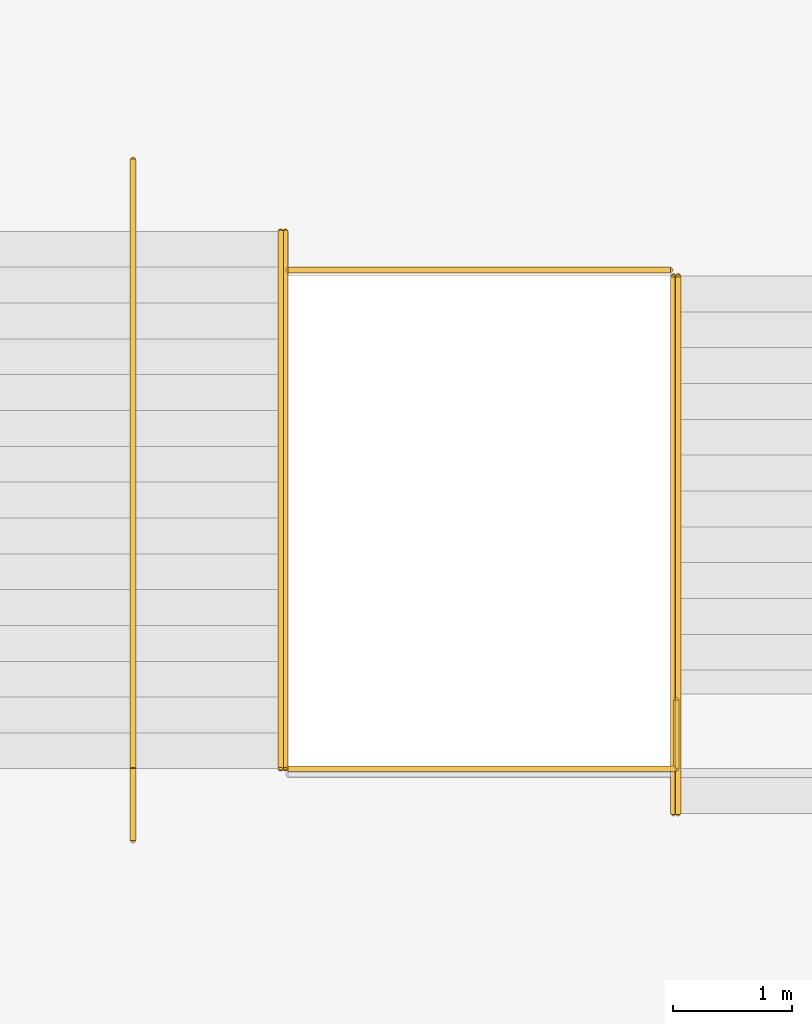
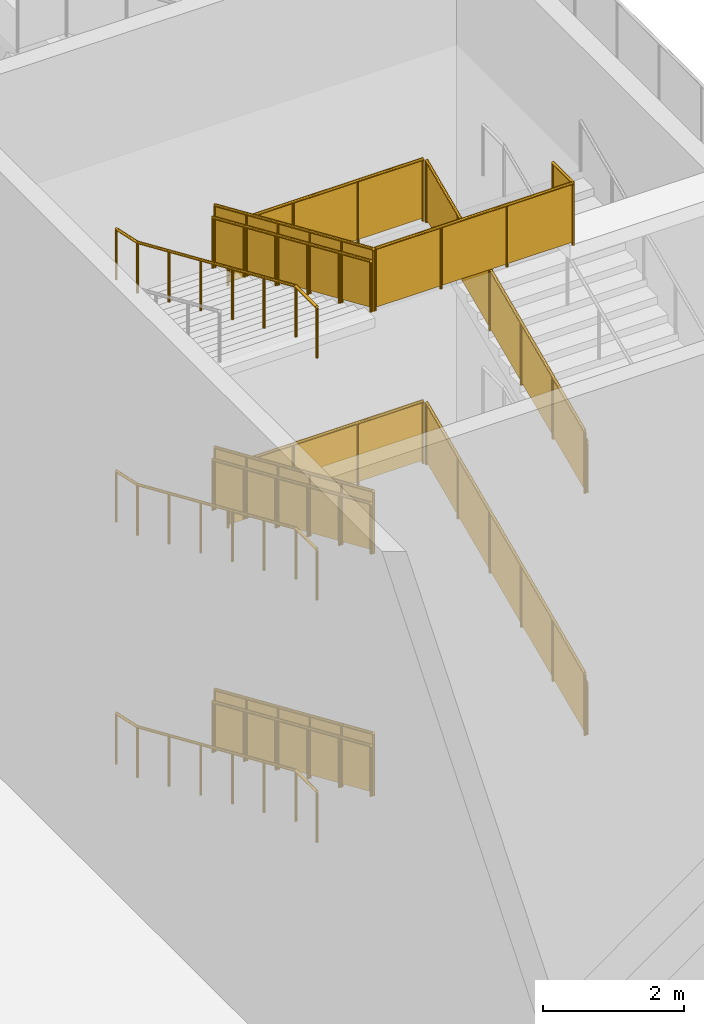
# One storey, part 144 of 182: 16 railings.
"""IFC4 building model written with IfcOpenShell, lengths in metres."""

from ifc_helpers import new_model, si_unit, direction, frame, origin, origin_2d, place, context, subcontext, project, spatial, polyline, circle, outline, extrude, material, type_object, element, save


model = new_model("IFC4")

# Units and contexts
model_context = context("Model", 3, precision=1e-05, world=origin(), true_north=direction((0.0, 1.0)))
body_context = subcontext(model_context, "Body", "Model", "MODEL_VIEW")
ifc_project = project(units=[si_unit("LENGTHUNIT", "METRE"), si_unit("AREAUNIT", "SQUARE_METRE"), si_unit("VOLUMEUNIT", "CUBIC_METRE"), si_unit("PLANEANGLEUNIT", "RADIAN"), si_unit("MASSUNIT", "GRAM", prefix="KILO")], contexts=[model_context])

# Site, building, storey
site_placement = place(None, origin())
site = spatial("IfcSite", under=ifc_project, at=site_placement, CompositionType="ELEMENT")
building_placement = place(site_placement, origin())
building = spatial("IfcBuilding", under=site, at=building_placement, Name="Silverbay Arena", CompositionType="ELEMENT")
storey_placement = place(building_placement, frame((0.0, 0.0, 11.5)))
storey = spatial("IfcBuildingStorey", under=building, at=storey_placement, Name="L02", CompositionType="ELEMENT", Elevation=11.5)

# Railings
ifc_material_1 = material(Name="Stainless steel", Category="steel")
railing_type_1 = type_object("IfcRailingType", Name="Stair guard 1100", PredefinedType="GUARDRAIL", material=ifc_material_1)
railing_1_placement = place(storey_placement, frame((74.875, 59.47412109375, 0.13134765625)))
element("IfcRailing", 1, at=railing_1_placement, inside=storey, type_object=railing_type_1, Name="Stair ST-SW2 L02 to L03 flight 1 guard left", PredefinedType="GUARDRAIL", context=body_context, shape_type="SweptSolid", body=[
    extrude(circle(Radius=0.02392578125, at=origin_2d()), frame((0.0, 0.0, 1.076171875), z_axis=(0.0, -0.916157334902, 0.40081883402), x_axis=(1.0, 0.0, 0.0)), (0.0, 0.0, 1.0), 4.911865234375),
    extrude(outline(polyline([(-0.008056640625, 0.04638671875), (0.907958984375, 0.447265625), (0.907958984375, 1.4501953125), (-0.008056640625, 1.049560546875), (-0.008056640625, 0.04638671875)])), frame((0.0029296875, 0.0, 0.0), z_axis=(-1.0, 0.0, 0.0), x_axis=(0.0, -1.0, 0.0)), (0.0, 0.0, 1.0), 0.006103515625),
    extrude(outline(polyline([(-0.008056640625, 0.440185546875), (0.907958984375, 0.841064453125), (0.907958984375, 1.843994140625), (-0.008056640625, 1.443359375), (-0.008056640625, 0.440185546875)])), frame((0.0029296875, -0.89990234375, 0.0), z_axis=(-1.0, 0.0, 0.0), x_axis=(0.0, -1.0, 0.0)), (0.0, 0.0, 1.0), 0.006103515625),
    extrude(outline(polyline([(-0.008056640625, 0.833984375), (0.907958984375, 1.23486328125), (0.907958984375, 2.23779296875), (-0.008056640625, 1.8369140625), (-0.008056640625, 0.833984375)])), frame((0.0029296875, -1.800048828125, 0.0), z_axis=(-1.0, 0.0, 0.0), x_axis=(0.0, -1.0, 0.0)), (0.0, 0.0, 1.0), 0.006103515625),
    extrude(outline(polyline([(-0.008056640625, 1.227783203125), (0.907958984375, 1.62841796875), (0.907958984375, 2.631591796875), (-0.008056640625, 2.230712890625), (-0.008056640625, 1.227783203125)])), frame((0.0029296875, -2.699951171875, 0.0), z_axis=(-1.0, 0.0, 0.0), x_axis=(0.0, -1.0, 0.0)), (0.0, 0.0, 1.0), 0.006103515625),
    extrude(outline(polyline([(-0.008056640625, 1.62158203125), (0.907958984375, 2.022216796875), (0.907958984375, 3.025146484375), (-0.008056640625, 2.62451171875), (-0.008056640625, 1.62158203125)])), frame((0.0029296875, -3.60009765625, 0.0), z_axis=(-1.0, 0.0, 0.0), x_axis=(0.0, -1.0, 0.0)), (0.0, 0.0, 1.0), 0.006103515625),
    extrude(circle(Radius=0.02099609375, at=origin_2d()), origin(), (0.0, 0.0, 1.0), 1.052001953125),
    extrude(circle(Radius=0.02099609375, at=origin_2d()), frame((0.0, -0.89990234375, 0.393798828125)), (0.0, 0.0, 1.0), 1.052001953125),
    extrude(circle(Radius=0.02099609375, at=origin_2d()), frame((0.0, -1.800048828125, 0.78759765625)), (0.0, 0.0, 1.0), 1.052001953125),
    extrude(circle(Radius=0.02099609375, at=origin_2d()), frame((0.0, -2.699951171875, 1.18115234375)), (0.0, 0.0, 1.0), 1.052001953125),
    extrude(circle(Radius=0.02099609375, at=origin_2d()), frame((0.0, -3.60009765625, 1.574951171875)), (0.0, 0.0, 1.0), 1.052001953125),
    extrude(circle(Radius=0.02099609375, at=origin_2d()), frame((0.0, -4.5, 1.96875)), (0.0, 0.0, 1.0), 1.052001953125),
])
railing_2_placement = place(storey_placement, frame((78.125, 54.60009765625, 2.231201171875)))
element("IfcRailing", 2, at=railing_2_placement, inside=storey, type_object=railing_type_1, Name="Stair ST-SW2 L02 to L03 flight 2 guard right", PredefinedType="GUARDRAIL", context=body_context, shape_type="SweptSolid", body=[
    extrude(circle(Radius=0.02392578125, at=origin_2d()), frame((0.0, 0.0, 1.076171875), z_axis=(0.0, 0.916157334902, 0.40081883402), x_axis=(-1.0, 0.0, 0.0)), (0.0, 0.0, 1.0), 4.911865234375),
    extrude(outline(polyline([(-0.008056640625, 0.04638671875), (0.907958984375, 0.447265625), (0.907958984375, 1.4501953125), (-0.008056640625, 1.049560546875), (-0.008056640625, 0.04638671875)])), frame((-0.0029296875, 0.0, 0.0), z_axis=(1.0, 0.0, 0.0), x_axis=(0.0, 1.0, 0.0)), (0.0, 0.0, 1.0), 0.006103515625),
    extrude(outline(polyline([(-0.008056640625, 0.440185546875), (0.907958984375, 0.841064453125), (0.907958984375, 1.843994140625), (-0.008056640625, 1.443359375), (-0.008056640625, 0.440185546875)])), frame((-0.0029296875, 0.89990234375, 0.0), z_axis=(1.0, 0.0, 0.0), x_axis=(0.0, 1.0, 0.0)), (0.0, 0.0, 1.0), 0.006103515625),
    extrude(outline(polyline([(-0.008056640625, 0.833984375), (0.907958984375, 1.23486328125), (0.907958984375, 2.23779296875), (-0.008056640625, 1.8369140625), (-0.008056640625, 0.833984375)])), frame((-0.0029296875, 1.800048828125, 0.0), z_axis=(1.0, 0.0, 0.0), x_axis=(0.0, 1.0, 0.0)), (0.0, 0.0, 1.0), 0.006103515625),
    extrude(outline(polyline([(-0.008056640625, 1.227783203125), (0.907958984375, 1.62841796875), (0.907958984375, 2.631591796875), (-0.008056640625, 2.230712890625), (-0.008056640625, 1.227783203125)])), frame((-0.0029296875, 2.699951171875, 0.0), z_axis=(1.0, 0.0, 0.0), x_axis=(0.0, 1.0, 0.0)), (0.0, 0.0, 1.0), 0.006103515625),
    extrude(outline(polyline([(-0.008056640625, 1.62158203125), (0.907958984375, 2.022216796875), (0.907958984375, 3.025146484375), (-0.008056640625, 2.62451171875), (-0.008056640625, 1.62158203125)])), frame((-0.0029296875, 3.60009765625, 0.0), z_axis=(1.0, 0.0, 0.0), x_axis=(0.0, 1.0, 0.0)), (0.0, 0.0, 1.0), 0.006103515625),
    extrude(circle(Radius=0.02099609375, at=origin_2d()), origin(), (0.0, 0.0, 1.0), 1.052001953125),
    extrude(circle(Radius=0.02099609375, at=origin_2d()), frame((0.0, 0.89990234375, 0.393798828125)), (0.0, 0.0, 1.0), 1.052001953125),
    extrude(circle(Radius=0.02099609375, at=origin_2d()), frame((0.0, 1.800048828125, 0.78759765625)), (0.0, 0.0, 1.0), 1.052001953125),
    extrude(circle(Radius=0.02099609375, at=origin_2d()), frame((0.0, 2.699951171875, 1.18115234375)), (0.0, 0.0, 1.0), 1.052001953125),
    extrude(circle(Radius=0.02099609375, at=origin_2d()), frame((0.0, 3.60009765625, 1.574951171875)), (0.0, 0.0, 1.0), 1.052001953125),
    extrude(circle(Radius=0.02099609375, at=origin_2d()), frame((0.0, 4.5, 1.96875)), (0.0, 0.0, 1.0), 1.052001953125),
])
railing_3_placement = place(storey_placement, frame((74.875, 59.47412109375, 4.331298828125)))
element("IfcRailing", 3, at=railing_3_placement, inside=storey, type_object=railing_type_1, Name="Stair ST-SW2 L02 to L03 flight 3 guard left", PredefinedType="GUARDRAIL", context=body_context, shape_type="SweptSolid", body=[
    extrude(circle(Radius=0.02392578125, at=origin_2d()), frame((0.0, 0.0, 1.076171875), z_axis=(0.0, -0.916157334902, 0.40081883402), x_axis=(1.0, 0.0, 0.0)), (0.0, 0.0, 1.0), 4.911865234375),
    extrude(outline(polyline([(-0.008056640625, 0.04638671875), (0.907958984375, 0.447265625), (0.907958984375, 1.4501953125), (-0.008056640625, 1.049560546875), (-0.008056640625, 0.04638671875)])), frame((0.0029296875, 0.0, 0.0), z_axis=(-1.0, 0.0, 0.0), x_axis=(0.0, -1.0, 0.0)), (0.0, 0.0, 1.0), 0.006103515625),
    extrude(outline(polyline([(-0.008056640625, 0.440185546875), (0.907958984375, 0.841064453125), (0.907958984375, 1.843994140625), (-0.008056640625, 1.443359375), (-0.008056640625, 0.440185546875)])), frame((0.0029296875, -0.89990234375, 0.0), z_axis=(-1.0, 0.0, 0.0), x_axis=(0.0, -1.0, 0.0)), (0.0, 0.0, 1.0), 0.006103515625),
    extrude(outline(polyline([(-0.008056640625, 0.833984375), (0.907958984375, 1.23486328125), (0.907958984375, 2.23779296875), (-0.008056640625, 1.8369140625), (-0.008056640625, 0.833984375)])), frame((0.0029296875, -1.800048828125, 0.0), z_axis=(-1.0, 0.0, 0.0), x_axis=(0.0, -1.0, 0.0)), (0.0, 0.0, 1.0), 0.006103515625),
    extrude(outline(polyline([(-0.008056640625, 1.227783203125), (0.907958984375, 1.62841796875), (0.907958984375, 2.631591796875), (-0.008056640625, 2.230712890625), (-0.008056640625, 1.227783203125)])), frame((0.0029296875, -2.699951171875, 0.0), z_axis=(-1.0, 0.0, 0.0), x_axis=(0.0, -1.0, 0.0)), (0.0, 0.0, 1.0), 0.006103515625),
    extrude(outline(polyline([(-0.008056640625, 1.62158203125), (0.907958984375, 2.022216796875), (0.907958984375, 3.025146484375), (-0.008056640625, 2.62451171875), (-0.008056640625, 1.62158203125)])), frame((0.0029296875, -3.60009765625, 0.0), z_axis=(-1.0, 0.0, 0.0), x_axis=(0.0, -1.0, 0.0)), (0.0, 0.0, 1.0), 0.006103515625),
    extrude(circle(Radius=0.02099609375, at=origin_2d()), origin(), (0.0, 0.0, 1.0), 1.052001953125),
    extrude(circle(Radius=0.02099609375, at=origin_2d()), frame((0.0, -0.89990234375, 0.393798828125)), (0.0, 0.0, 1.0), 1.052001953125),
    extrude(circle(Radius=0.02099609375, at=origin_2d()), frame((0.0, -1.800048828125, 0.78759765625)), (0.0, 0.0, 1.0), 1.052001953125),
    extrude(circle(Radius=0.02099609375, at=origin_2d()), frame((0.0, -2.699951171875, 1.18115234375)), (0.0, 0.0, 1.0), 1.052001953125),
    extrude(circle(Radius=0.02099609375, at=origin_2d()), frame((0.0, -3.60009765625, 1.574951171875)), (0.0, 0.0, 1.0), 1.052001953125),
    extrude(circle(Radius=0.02099609375, at=origin_2d()), frame((0.0, -4.5, 1.96875)), (0.0, 0.0, 1.0), 1.052001953125),
])
railing_4_placement = place(storey_placement, frame((78.125, 54.60009765625, 6.43115234375)))
element("IfcRailing", 4, at=railing_4_placement, inside=storey, type_object=railing_type_1, Name="Stair ST-SW2 L02 to L03 flight 4 guard right", PredefinedType="GUARDRAIL", context=body_context, shape_type="SweptSolid", body=[
    extrude(circle(Radius=0.02392578125, at=origin_2d()), frame((0.0, 0.0, 1.076171875), z_axis=(0.0, 0.916157334902, 0.40081883402), x_axis=(-1.0, 0.0, 0.0)), (0.0, 0.0, 1.0), 4.911865234375),
    extrude(outline(polyline([(-0.008056640625, 0.04638671875), (0.907958984375, 0.447265625), (0.907958984375, 1.4501953125), (-0.008056640625, 1.049560546875), (-0.008056640625, 0.04638671875)])), frame((-0.0029296875, 0.0, 0.0), z_axis=(1.0, 0.0, 0.0), x_axis=(0.0, 1.0, 0.0)), (0.0, 0.0, 1.0), 0.006103515625),
    extrude(outline(polyline([(-0.008056640625, 0.440185546875), (0.907958984375, 0.841064453125), (0.907958984375, 1.843994140625), (-0.008056640625, 1.443359375), (-0.008056640625, 0.440185546875)])), frame((-0.0029296875, 0.89990234375, 0.0), z_axis=(1.0, 0.0, 0.0), x_axis=(0.0, 1.0, 0.0)), (0.0, 0.0, 1.0), 0.006103515625),
    extrude(outline(polyline([(-0.008056640625, 0.833984375), (0.907958984375, 1.23486328125), (0.907958984375, 2.23779296875), (-0.008056640625, 1.8369140625), (-0.008056640625, 0.833984375)])), frame((-0.0029296875, 1.800048828125, 0.0), z_axis=(1.0, 0.0, 0.0), x_axis=(0.0, 1.0, 0.0)), (0.0, 0.0, 1.0), 0.006103515625),
    extrude(outline(polyline([(-0.008056640625, 1.227783203125), (0.907958984375, 1.62841796875), (0.907958984375, 2.631591796875), (-0.008056640625, 2.230712890625), (-0.008056640625, 1.227783203125)])), frame((-0.0029296875, 2.699951171875, 0.0), z_axis=(1.0, 0.0, 0.0), x_axis=(0.0, 1.0, 0.0)), (0.0, 0.0, 1.0), 0.006103515625),
    extrude(outline(polyline([(-0.008056640625, 1.62158203125), (0.907958984375, 2.022216796875), (0.907958984375, 3.025146484375), (-0.008056640625, 2.62451171875), (-0.008056640625, 1.62158203125)])), frame((-0.0029296875, 3.60009765625, 0.0), z_axis=(1.0, 0.0, 0.0), x_axis=(0.0, 1.0, 0.0)), (0.0, 0.0, 1.0), 0.006103515625),
    extrude(circle(Radius=0.02099609375, at=origin_2d()), origin(), (0.0, 0.0, 1.0), 1.052001953125),
    extrude(circle(Radius=0.02099609375, at=origin_2d()), frame((0.0, 0.89990234375, 0.393798828125)), (0.0, 0.0, 1.0), 1.052001953125),
    extrude(circle(Radius=0.02099609375, at=origin_2d()), frame((0.0, 1.800048828125, 0.78759765625)), (0.0, 0.0, 1.0), 1.052001953125),
    extrude(circle(Radius=0.02099609375, at=origin_2d()), frame((0.0, 2.699951171875, 1.18115234375)), (0.0, 0.0, 1.0), 1.052001953125),
    extrude(circle(Radius=0.02099609375, at=origin_2d()), frame((0.0, 3.60009765625, 1.574951171875)), (0.0, 0.0, 1.0), 1.052001953125),
    extrude(circle(Radius=0.02099609375, at=origin_2d()), frame((0.0, 4.5, 1.96875)), (0.0, 0.0, 1.0), 1.052001953125),
])
railing_5_placement = place(storey_placement, frame((74.875, 59.47412109375, 8.53125)))
element("IfcRailing", 5, at=railing_5_placement, inside=storey, type_object=railing_type_1, Name="Stair ST-SW2 L02 to L03 flight 5 guard left", PredefinedType="GUARDRAIL", context=body_context, shape_type="SweptSolid", body=[
    extrude(circle(Radius=0.02392578125, at=origin_2d()), frame((0.0, 0.0, 1.076171875), z_axis=(0.0, -0.916157334902, 0.40081883402), x_axis=(1.0, 0.0, 0.0)), (0.0, 0.0, 1.0), 4.911865234375),
    extrude(outline(polyline([(-0.008056640625, 0.04638671875), (0.907958984375, 0.447265625), (0.907958984375, 1.4501953125), (-0.008056640625, 1.049560546875), (-0.008056640625, 0.04638671875)])), frame((0.0029296875, 0.0, 0.0), z_axis=(-1.0, 0.0, 0.0), x_axis=(0.0, -1.0, 0.0)), (0.0, 0.0, 1.0), 0.006103515625),
    extrude(outline(polyline([(-0.008056640625, 0.440185546875), (0.907958984375, 0.841064453125), (0.907958984375, 1.843994140625), (-0.008056640625, 1.443359375), (-0.008056640625, 0.440185546875)])), frame((0.0029296875, -0.89990234375, 0.0), z_axis=(-1.0, 0.0, 0.0), x_axis=(0.0, -1.0, 0.0)), (0.0, 0.0, 1.0), 0.006103515625),
    extrude(outline(polyline([(-0.008056640625, 0.833984375), (0.907958984375, 1.23486328125), (0.907958984375, 2.23779296875), (-0.008056640625, 1.8369140625), (-0.008056640625, 0.833984375)])), frame((0.0029296875, -1.800048828125, 0.0), z_axis=(-1.0, 0.0, 0.0), x_axis=(0.0, -1.0, 0.0)), (0.0, 0.0, 1.0), 0.006103515625),
    extrude(outline(polyline([(-0.008056640625, 1.227783203125), (0.907958984375, 1.62841796875), (0.907958984375, 2.631591796875), (-0.008056640625, 2.230712890625), (-0.008056640625, 1.227783203125)])), frame((0.0029296875, -2.699951171875, 0.0), z_axis=(-1.0, 0.0, 0.0), x_axis=(0.0, -1.0, 0.0)), (0.0, 0.0, 1.0), 0.006103515625),
    extrude(outline(polyline([(-0.008056640625, 1.62158203125), (0.907958984375, 2.022216796875), (0.907958984375, 3.025146484375), (-0.008056640625, 2.62451171875), (-0.008056640625, 1.62158203125)])), frame((0.0029296875, -3.60009765625, 0.0), z_axis=(-1.0, 0.0, 0.0), x_axis=(0.0, -1.0, 0.0)), (0.0, 0.0, 1.0), 0.006103515625),
    extrude(circle(Radius=0.02099609375, at=origin_2d()), origin(), (0.0, 0.0, 1.0), 1.052001953125),
    extrude(circle(Radius=0.02099609375, at=origin_2d()), frame((0.0, -0.89990234375, 0.393798828125)), (0.0, 0.0, 1.0), 1.052001953125),
    extrude(circle(Radius=0.02099609375, at=origin_2d()), frame((0.0, -1.800048828125, 0.78759765625)), (0.0, 0.0, 1.0), 1.052001953125),
    extrude(circle(Radius=0.02099609375, at=origin_2d()), frame((0.0, -2.699951171875, 1.18115234375)), (0.0, 0.0, 1.0), 1.052001953125),
    extrude(circle(Radius=0.02099609375, at=origin_2d()), frame((0.0, -3.60009765625, 1.574951171875)), (0.0, 0.0, 1.0), 1.052001953125),
    extrude(circle(Radius=0.02099609375, at=origin_2d()), frame((0.0, -4.5, 1.96875)), (0.0, 0.0, 1.0), 1.052001953125),
])
for number, where, name in (
    (6, (78.10009765625, 59.14990234375, 4.199951171875), "Stair ST-SW2 L02 to L03 landing 2 guard"),
    (7, (78.10009765625, 59.14990234375, 8.39990234375), "Stair ST-SW2 L02 to L03 landing 4 guard"),
):
    element("IfcRailing", number, at=place(storey_placement, frame(where)), inside=storey, type_object=railing_type_1, Name=name, PredefinedType="GUARDRAIL", context=body_context, shape_type="SweptSolid", body=[
        extrude(circle(Radius=0.02392578125, at=origin_2d()), frame((0.0, 0.0, 1.076171875), z_axis=(-1.0, 0.0, 0.0), x_axis=(0.0, -1.0, 0.0)), (0.0, 0.0, 1.0), 3.2001953125),
        extrude(outline(polyline([(-0.008056640625, 0.050048828125), (1.07470703125, 0.050048828125), (1.07470703125, 1.052978515625), (-0.008056640625, 1.052978515625), (-0.008056640625, 0.050048828125)])), frame((0.0, -0.0029296875, 0.0), z_axis=(0.0, 1.0, 0.0), x_axis=(-1.0, 0.0, 0.0)), (0.0, 0.0, 1.0), 0.006103515625),
        extrude(outline(polyline([(-0.008056640625, 0.050048828125), (1.07470703125, 0.050048828125), (1.07470703125, 1.052978515625), (-0.008056640625, 1.052978515625), (-0.008056640625, 0.050048828125)])), frame((-1.066650390625, -0.0029296875, 0.0), z_axis=(0.0, 1.0, 0.0), x_axis=(-1.0, 0.0, 0.0)), (0.0, 0.0, 1.0), 0.006103515625),
        extrude(outline(polyline([(-0.008056640625, 0.050048828125), (1.07470703125, 0.050048828125), (1.07470703125, 1.052978515625), (-0.008056640625, 1.052978515625), (-0.008056640625, 0.050048828125)])), frame((-2.133544921875, -0.0029296875, 0.0), z_axis=(0.0, 1.0, 0.0), x_axis=(-1.0, 0.0, 0.0)), (0.0, 0.0, 1.0), 0.006103515625),
        extrude(circle(Radius=0.02099609375, at=origin_2d()), origin(), (0.0, 0.0, 1.0), 1.052001953125),
        extrude(circle(Radius=0.02099609375, at=origin_2d()), frame((-1.066650390625, 0.0, 0.0)), (0.0, 0.0, 1.0), 1.052001953125),
        extrude(circle(Radius=0.02099609375, at=origin_2d()), frame((-2.133544921875, 0.0, 0.0)), (0.0, 0.0, 1.0), 1.052001953125),
        extrude(circle(Radius=0.02099609375, at=origin_2d()), frame((-3.2001953125, 0.0, 0.0)), (0.0, 0.0, 1.0), 1.052001953125),
    ])
railing_6_placement = place(storey_placement, frame((78.14990234375, 55.550048828125, 10.5)))
element("IfcRailing", 8, at=railing_6_placement, inside=storey, type_object=railing_type_1, Name="Stair ST-SW2 L02 to L03 landing 5 guard", PredefinedType="GUARDRAIL", context=body_context, shape_type="SweptSolid", body=[
    extrude(circle(Radius=0.02392578125, at=origin_2d()), frame((0.0, 0.0, 1.076171875), z_axis=(0.0, -1.0, 0.0), x_axis=(1.0, 0.0, 0.0)), (0.0, 0.0, 1.0), 0.575927734375),
    extrude(outline(polyline([(-0.008056640625, 0.050048828125), (0.583984375, 0.050048828125), (0.583984375, 1.052978515625), (-0.008056640625, 1.052978515625), (-0.008056640625, 0.050048828125)])), frame((0.0029296875, 0.0, 0.0), z_axis=(-1.0, 0.0, 0.0), x_axis=(0.0, -1.0, 0.0)), (0.0, 0.0, 1.0), 0.006103515625),
    extrude(circle(Radius=0.02392578125, at=origin_2d()), frame((0.0, -0.575927734375, 1.076171875), z_axis=(-1.0, 0.0, 0.0), x_axis=(0.0, -1.0, 0.0)), (0.0, 0.0, 1.0), 3.25),
    extrude(outline(polyline([(-0.008056640625, 0.050048828125), (1.09130859375, 0.050048828125), (1.09130859375, 1.052978515625), (-0.008056640625, 1.052978515625), (-0.008056640625, 0.050048828125)])), frame((0.0, -0.578857421875, 0.0), z_axis=(0.0, 1.0, 0.0), x_axis=(-1.0, 0.0, 0.0)), (0.0, 0.0, 1.0), 0.006103515625),
    extrude(outline(polyline([(-0.008056640625, 0.050048828125), (1.09130859375, 0.050048828125), (1.09130859375, 1.052978515625), (-0.008056640625, 1.052978515625), (-0.008056640625, 0.050048828125)])), frame((-1.083251953125, -0.578857421875, 0.0), z_axis=(0.0, 1.0, 0.0), x_axis=(-1.0, 0.0, 0.0)), (0.0, 0.0, 1.0), 0.006103515625),
    extrude(outline(polyline([(-0.008056640625, 0.050048828125), (1.09130859375, 0.050048828125), (1.09130859375, 1.052978515625), (-0.008056640625, 1.052978515625), (-0.008056640625, 0.050048828125)])), frame((-2.166748046875, -0.578857421875, 0.0), z_axis=(0.0, 1.0, 0.0), x_axis=(-1.0, 0.0, 0.0)), (0.0, 0.0, 1.0), 0.006103515625),
    extrude(circle(Radius=0.02099609375, at=origin_2d()), origin(), (0.0, 0.0, 1.0), 1.052001953125),
    extrude(circle(Radius=0.02099609375, at=origin_2d()), frame((0.0, -0.575927734375, 0.0)), (0.0, 0.0, 1.0), 1.052001953125),
    extrude(circle(Radius=0.02099609375, at=origin_2d()), frame((-1.083251953125, -0.575927734375, 0.0)), (0.0, 0.0, 1.0), 1.052001953125),
    extrude(circle(Radius=0.02099609375, at=origin_2d()), frame((-2.166748046875, -0.575927734375, 0.0)), (0.0, 0.0, 1.0), 1.052001953125),
    extrude(circle(Radius=0.02099609375, at=origin_2d()), frame((-3.25, -0.575927734375, 0.0)), (0.0, 0.0, 1.0), 1.052001953125),
])
ifc_material_2 = material(Name="Stainless steel", Category="steel")
railing_type_2 = type_object("IfcRailingType", Name="Stair handrail 900", PredefinedType="HANDRAIL", material=ifc_material_2)
railing_7_placement = place(storey_placement, frame((74.8359375, 59.47412109375, 0.13134765625)))
element("IfcRailing", 9, at=railing_7_placement, inside=storey, type_object=railing_type_2, Name="Stair ST-SW2 L02 to L03 flight 1 handrail left", PredefinedType="HANDRAIL", context=body_context, shape_type="SweptSolid", body=[
    extrude(circle(Radius=0.02392578125, at=origin_2d()), frame((0.0, 0.0, 0.8759765625), z_axis=(0.0, -0.916157334902, 0.40081883402), x_axis=(1.0, 0.0, 0.0)), (0.0, 0.0, 1.0), 4.911865234375),
    extrude(circle(Radius=0.02099609375, at=origin_2d()), origin(), (0.0, 0.0, 1.0), 0.851806640625),
    extrude(circle(Radius=0.02099609375, at=origin_2d()), frame((0.0, -0.89990234375, 0.393798828125)), (0.0, 0.0, 1.0), 0.851806640625),
    extrude(circle(Radius=0.02099609375, at=origin_2d()), frame((0.0, -1.800048828125, 0.78759765625)), (0.0, 0.0, 1.0), 0.851806640625),
    extrude(circle(Radius=0.02099609375, at=origin_2d()), frame((0.0, -2.699951171875, 1.18115234375)), (0.0, 0.0, 1.0), 0.851806640625),
    extrude(circle(Radius=0.02099609375, at=origin_2d()), frame((0.0, -3.60009765625, 1.574951171875)), (0.0, 0.0, 1.0), 0.851806640625),
    extrude(circle(Radius=0.02099609375, at=origin_2d()), frame((0.0, -4.5, 1.96875)), (0.0, 0.0, 1.0), 0.851806640625),
])
railing_8_placement = place(storey_placement, frame((73.60009765625, 60.07421875, 0.0)))
element("IfcRailing", 10, at=railing_8_placement, inside=storey, type_object=railing_type_2, Name="Stair ST-SW2 L02 to L03 flight 1 central handrail", PredefinedType="HANDRAIL", context=body_context, shape_type="SweptSolid", body=[
    extrude(circle(Radius=0.02392578125, at=origin_2d()), frame((0.0, 0.0, 0.8759765625), z_axis=(0.0, -0.976874083041, 0.213815401414), x_axis=(1.0, 0.0, 0.0)), (0.0, 0.0, 1.0), 0.6142578125),
    extrude(circle(Radius=0.02392578125, at=origin_2d()), frame((0.0, -0.60009765625, 1.00732421875), z_axis=(0.0, -0.916157334902, 0.40081883402), x_axis=(1.0, 0.0, 0.0)), (0.0, 0.0, 1.0), 4.911865234375),
    extrude(circle(Radius=0.02392578125, at=origin_2d()), frame((0.0, -5.10009765625, 2.97607421875), z_axis=(0.0, -1.0, 0.0), x_axis=(1.0, 0.0, 0.0)), (0.0, 0.0, 1.0), 0.599853515625),
    extrude(circle(Radius=0.02099609375, at=origin_2d()), origin(), (0.0, 0.0, 1.0), 0.851806640625),
    extrude(circle(Radius=0.02099609375, at=origin_2d()), frame((0.0, -0.60009765625, 0.13134765625)), (0.0, 0.0, 1.0), 0.851806640625),
    extrude(circle(Radius=0.02099609375, at=origin_2d()), frame((0.0, -1.5, 0.525146484375)), (0.0, 0.0, 1.0), 0.851806640625),
    extrude(circle(Radius=0.02099609375, at=origin_2d()), frame((0.0, -2.400146484375, 0.9189453125)), (0.0, 0.0, 1.0), 0.851806640625),
    extrude(circle(Radius=0.02099609375, at=origin_2d()), frame((0.0, -3.300048828125, 1.3125)), (0.0, 0.0, 1.0), 0.851806640625),
    extrude(circle(Radius=0.02099609375, at=origin_2d()), frame((0.0, -4.2001953125, 1.706298828125)), (0.0, 0.0, 1.0), 0.851806640625),
    extrude(circle(Radius=0.02099609375, at=origin_2d()), frame((0.0, -5.10009765625, 2.10009765625)), (0.0, 0.0, 1.0), 0.851806640625),
    extrude(circle(Radius=0.02099609375, at=origin_2d()), frame((0.0, -5.699951171875, 2.10009765625)), (0.0, 0.0, 1.0), 0.851806640625),
])
railing_9_placement = place(storey_placement, frame((78.1640625, 54.60009765625, 2.231201171875)))
element("IfcRailing", 11, at=railing_9_placement, inside=storey, type_object=railing_type_2, Name="Stair ST-SW2 L02 to L03 flight 2 handrail right", PredefinedType="HANDRAIL", context=body_context, shape_type="SweptSolid", body=[
    extrude(circle(Radius=0.02392578125, at=origin_2d()), frame((0.0, 0.0, 0.8759765625), z_axis=(0.0, 0.916157334902, 0.40081883402), x_axis=(-1.0, 0.0, 0.0)), (0.0, 0.0, 1.0), 4.911865234375),
    extrude(circle(Radius=0.02099609375, at=origin_2d()), origin(), (0.0, 0.0, 1.0), 0.851806640625),
    extrude(circle(Radius=0.02099609375, at=origin_2d()), frame((0.0, 0.89990234375, 0.393798828125)), (0.0, 0.0, 1.0), 0.851806640625),
    extrude(circle(Radius=0.02099609375, at=origin_2d()), frame((0.0, 1.800048828125, 0.78759765625)), (0.0, 0.0, 1.0), 0.851806640625),
    extrude(circle(Radius=0.02099609375, at=origin_2d()), frame((0.0, 2.699951171875, 1.18115234375)), (0.0, 0.0, 1.0), 0.851806640625),
    extrude(circle(Radius=0.02099609375, at=origin_2d()), frame((0.0, 3.60009765625, 1.574951171875)), (0.0, 0.0, 1.0), 0.851806640625),
    extrude(circle(Radius=0.02099609375, at=origin_2d()), frame((0.0, 4.5, 1.96875)), (0.0, 0.0, 1.0), 0.851806640625),
])
railing_10_placement = place(storey_placement, frame((74.8359375, 59.47412109375, 4.331298828125)))
element("IfcRailing", 12, at=railing_10_placement, inside=storey, type_object=railing_type_2, Name="Stair ST-SW2 L02 to L03 flight 3 handrail left", PredefinedType="HANDRAIL", context=body_context, shape_type="SweptSolid", body=[
    extrude(circle(Radius=0.02392578125, at=origin_2d()), frame((0.0, 0.0, 0.8759765625), z_axis=(0.0, -0.916157334902, 0.40081883402), x_axis=(1.0, 0.0, 0.0)), (0.0, 0.0, 1.0), 4.911865234375),
    extrude(circle(Radius=0.02099609375, at=origin_2d()), origin(), (0.0, 0.0, 1.0), 0.851806640625),
    extrude(circle(Radius=0.02099609375, at=origin_2d()), frame((0.0, -0.89990234375, 0.393798828125)), (0.0, 0.0, 1.0), 0.851806640625),
    extrude(circle(Radius=0.02099609375, at=origin_2d()), frame((0.0, -1.800048828125, 0.78759765625)), (0.0, 0.0, 1.0), 0.851806640625),
    extrude(circle(Radius=0.02099609375, at=origin_2d()), frame((0.0, -2.699951171875, 1.18115234375)), (0.0, 0.0, 1.0), 0.851806640625),
    extrude(circle(Radius=0.02099609375, at=origin_2d()), frame((0.0, -3.60009765625, 1.574951171875)), (0.0, 0.0, 1.0), 0.851806640625),
    extrude(circle(Radius=0.02099609375, at=origin_2d()), frame((0.0, -4.5, 1.96875)), (0.0, 0.0, 1.0), 0.851806640625),
])
railing_11_placement = place(storey_placement, frame((73.60009765625, 60.07421875, 4.199951171875)))
element("IfcRailing", 13, at=railing_11_placement, inside=storey, type_object=railing_type_2, Name="Stair ST-SW2 L02 to L03 flight 3 central handrail", PredefinedType="HANDRAIL", context=body_context, shape_type="SweptSolid", body=[
    extrude(circle(Radius=0.02392578125, at=origin_2d()), frame((0.0, 0.0, 0.8759765625), z_axis=(0.0, -0.976874083041, 0.213815401414), x_axis=(1.0, 0.0, 0.0)), (0.0, 0.0, 1.0), 0.6142578125),
    extrude(circle(Radius=0.02392578125, at=origin_2d()), frame((0.0, -0.60009765625, 1.00732421875), z_axis=(0.0, -0.916157334902, 0.40081883402), x_axis=(1.0, 0.0, 0.0)), (0.0, 0.0, 1.0), 4.911865234375),
    extrude(circle(Radius=0.02392578125, at=origin_2d()), frame((0.0, -5.10009765625, 2.97607421875), z_axis=(0.0, -1.0, 0.0), x_axis=(1.0, 0.0, 0.0)), (0.0, 0.0, 1.0), 0.599853515625),
    extrude(circle(Radius=0.02099609375, at=origin_2d()), origin(), (0.0, 0.0, 1.0), 0.851806640625),
    extrude(circle(Radius=0.02099609375, at=origin_2d()), frame((0.0, -0.60009765625, 0.13134765625)), (0.0, 0.0, 1.0), 0.851806640625),
    extrude(circle(Radius=0.02099609375, at=origin_2d()), frame((0.0, -1.5, 0.525146484375)), (0.0, 0.0, 1.0), 0.851806640625),
    extrude(circle(Radius=0.02099609375, at=origin_2d()), frame((0.0, -2.400146484375, 0.9189453125)), (0.0, 0.0, 1.0), 0.851806640625),
    extrude(circle(Radius=0.02099609375, at=origin_2d()), frame((0.0, -3.300048828125, 1.3125)), (0.0, 0.0, 1.0), 0.851806640625),
    extrude(circle(Radius=0.02099609375, at=origin_2d()), frame((0.0, -4.2001953125, 1.706298828125)), (0.0, 0.0, 1.0), 0.851806640625),
    extrude(circle(Radius=0.02099609375, at=origin_2d()), frame((0.0, -5.10009765625, 2.10009765625)), (0.0, 0.0, 1.0), 0.851806640625),
    extrude(circle(Radius=0.02099609375, at=origin_2d()), frame((0.0, -5.699951171875, 2.10009765625)), (0.0, 0.0, 1.0), 0.851806640625),
])
railing_12_placement = place(storey_placement, frame((78.1640625, 54.60009765625, 6.43115234375)))
element("IfcRailing", 14, at=railing_12_placement, inside=storey, type_object=railing_type_2, Name="Stair ST-SW2 L02 to L03 flight 4 handrail right", PredefinedType="HANDRAIL", context=body_context, shape_type="SweptSolid", body=[
    extrude(circle(Radius=0.02392578125, at=origin_2d()), frame((0.0, 0.0, 0.8759765625), z_axis=(0.0, 0.916157334902, 0.40081883402), x_axis=(-1.0, 0.0, 0.0)), (0.0, 0.0, 1.0), 4.911865234375),
    extrude(circle(Radius=0.02099609375, at=origin_2d()), origin(), (0.0, 0.0, 1.0), 0.851806640625),
    extrude(circle(Radius=0.02099609375, at=origin_2d()), frame((0.0, 0.89990234375, 0.393798828125)), (0.0, 0.0, 1.0), 0.851806640625),
    extrude(circle(Radius=0.02099609375, at=origin_2d()), frame((0.0, 1.800048828125, 0.78759765625)), (0.0, 0.0, 1.0), 0.851806640625),
    extrude(circle(Radius=0.02099609375, at=origin_2d()), frame((0.0, 2.699951171875, 1.18115234375)), (0.0, 0.0, 1.0), 0.851806640625),
    extrude(circle(Radius=0.02099609375, at=origin_2d()), frame((0.0, 3.60009765625, 1.574951171875)), (0.0, 0.0, 1.0), 0.851806640625),
    extrude(circle(Radius=0.02099609375, at=origin_2d()), frame((0.0, 4.5, 1.96875)), (0.0, 0.0, 1.0), 0.851806640625),
])
railing_13_placement = place(storey_placement, frame((74.8359375, 59.47412109375, 8.53125)))
element("IfcRailing", 15, at=railing_13_placement, inside=storey, type_object=railing_type_2, Name="Stair ST-SW2 L02 to L03 flight 5 handrail left", PredefinedType="HANDRAIL", context=body_context, shape_type="SweptSolid", body=[
    extrude(circle(Radius=0.02392578125, at=origin_2d()), frame((0.0, 0.0, 0.8759765625), z_axis=(0.0, -0.916157334902, 0.40081883402), x_axis=(1.0, 0.0, 0.0)), (0.0, 0.0, 1.0), 4.911865234375),
    extrude(circle(Radius=0.02099609375, at=origin_2d()), origin(), (0.0, 0.0, 1.0), 0.851806640625),
    extrude(circle(Radius=0.02099609375, at=origin_2d()), frame((0.0, -0.89990234375, 0.393798828125)), (0.0, 0.0, 1.0), 0.851806640625),
    extrude(circle(Radius=0.02099609375, at=origin_2d()), frame((0.0, -1.800048828125, 0.78759765625)), (0.0, 0.0, 1.0), 0.851806640625),
    extrude(circle(Radius=0.02099609375, at=origin_2d()), frame((0.0, -2.699951171875, 1.18115234375)), (0.0, 0.0, 1.0), 0.851806640625),
    extrude(circle(Radius=0.02099609375, at=origin_2d()), frame((0.0, -3.60009765625, 1.574951171875)), (0.0, 0.0, 1.0), 0.851806640625),
    extrude(circle(Radius=0.02099609375, at=origin_2d()), frame((0.0, -4.5, 1.96875)), (0.0, 0.0, 1.0), 0.851806640625),
])
railing_14_placement = place(storey_placement, frame((73.60009765625, 60.07421875, 8.39990234375)))
element("IfcRailing", 16, at=railing_14_placement, inside=storey, type_object=railing_type_2, Name="Stair ST-SW2 L02 to L03 flight 5 central handrail", PredefinedType="HANDRAIL", context=body_context, shape_type="SweptSolid", body=[
    extrude(circle(Radius=0.02392578125, at=origin_2d()), frame((0.0, 0.0, 0.8759765625), z_axis=(0.0, -0.976874083041, 0.213815401414), x_axis=(1.0, 0.0, 0.0)), (0.0, 0.0, 1.0), 0.6142578125),
    extrude(circle(Radius=0.02392578125, at=origin_2d()), frame((0.0, -0.60009765625, 1.00732421875), z_axis=(0.0, -0.916157334902, 0.40081883402), x_axis=(1.0, 0.0, 0.0)), (0.0, 0.0, 1.0), 4.911865234375),
    extrude(circle(Radius=0.02392578125, at=origin_2d()), frame((0.0, -5.10009765625, 2.97607421875), z_axis=(0.0, -1.0, 0.0), x_axis=(1.0, 0.0, 0.0)), (0.0, 0.0, 1.0), 0.599853515625),
    extrude(circle(Radius=0.02099609375, at=origin_2d()), origin(), (0.0, 0.0, 1.0), 0.851806640625),
    extrude(circle(Radius=0.02099609375, at=origin_2d()), frame((0.0, -0.60009765625, 0.13134765625)), (0.0, 0.0, 1.0), 0.851806640625),
    extrude(circle(Radius=0.02099609375, at=origin_2d()), frame((0.0, -1.5, 0.525146484375)), (0.0, 0.0, 1.0), 0.851806640625),
    extrude(circle(Radius=0.02099609375, at=origin_2d()), frame((0.0, -2.400146484375, 0.9189453125)), (0.0, 0.0, 1.0), 0.851806640625),
    extrude(circle(Radius=0.02099609375, at=origin_2d()), frame((0.0, -3.300048828125, 1.3125)), (0.0, 0.0, 1.0), 0.851806640625),
    extrude(circle(Radius=0.02099609375, at=origin_2d()), frame((0.0, -4.2001953125, 1.706298828125)), (0.0, 0.0, 1.0), 0.851806640625),
    extrude(circle(Radius=0.02099609375, at=origin_2d()), frame((0.0, -5.10009765625, 2.10009765625)), (0.0, 0.0, 1.0), 0.851806640625),
    extrude(circle(Radius=0.02099609375, at=origin_2d()), frame((0.0, -5.699951171875, 2.10009765625)), (0.0, 0.0, 1.0), 0.851806640625),
])

save(model, "model.ifc")
